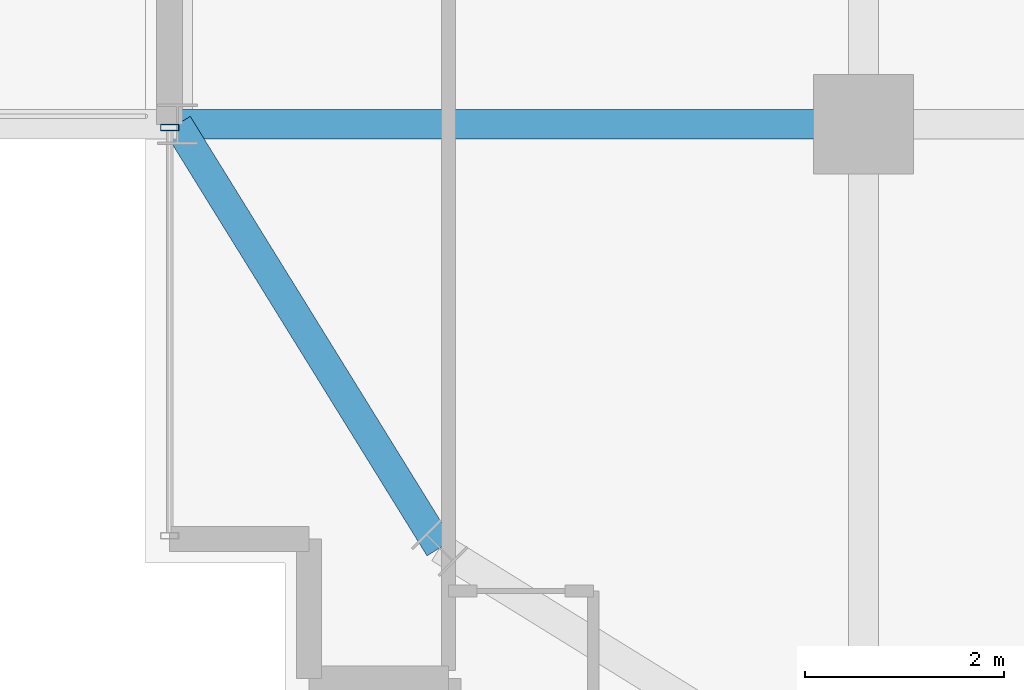
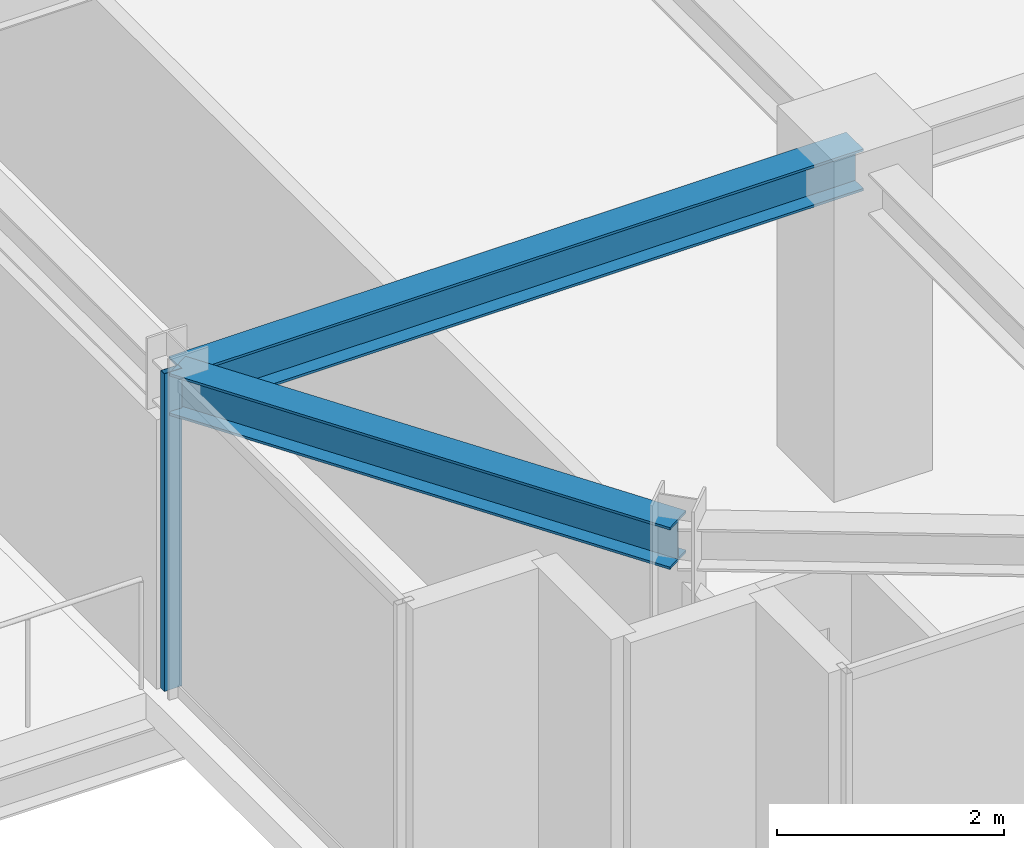
# One storey, part 5 of 35: 2 beams, 1 member, 1 element without a shape of its own.
"""IFC4 building model written with IfcOpenShell, lengths in metres."""

from ifc_helpers import new_model, si_unit, direction, frame, origin, origin_2d, place, context, subcontext, project, spatial, hollow_rectangle, i_section, extrude, source, transform, mapped, material, material_profile, profile_set, type_object, element, aggregate, save


model = new_model("IFC4")

# Units and contexts
model_context = context("Model", 3, precision=1e-05, world=origin(), true_north=direction((0.0, 1.0)))
body_context = subcontext(model_context, "Body", "Model", "MODEL_VIEW")
ifc_project = project(units=[si_unit("LENGTHUNIT", "METRE"), si_unit("AREAUNIT", "SQUARE_METRE"), si_unit("VOLUMEUNIT", "CUBIC_METRE"), si_unit("PLANEANGLEUNIT", "RADIAN"), si_unit("MASSUNIT", "GRAM", prefix="KILO")], contexts=[model_context])

# Site, building, storey
site_placement = place(None, origin())
site = spatial("IfcSite", under=ifc_project, at=site_placement, CompositionType="ELEMENT")
building_placement = place(site_placement, origin())
building = spatial("IfcBuilding", under=site, at=building_placement, Name="Nahalor Promenade Grand Hotel", CompositionType="ELEMENT")
storey_placement = place(building_placement, frame((0.0, 0.0, 245.60009765625)))
storey = spatial("IfcBuildingStorey", under=building, at=storey_placement, Name="L63", CompositionType="ELEMENT", Elevation=245.60009765625)

# Beams
ifc_material_1 = material(Name="Steel S355JR", Category="steel")
ifc_material_profile_1 = material_profile(ifc_material_1, i_section(OverallWidth=0.3, OverallDepth=0.45, WebThickness=0.014, FlangeThickness=0.026, at=origin_2d()), Name="HEB 450")
ifc_profile_set_1 = profile_set([ifc_material_profile_1], Name="Steel S355JR")
beam_type_1 = type_object("IfcBeamType", Name="Beam-Spandrel-HEB450", PredefinedType="SPANDREL", material=ifc_profile_set_1)
shared_shape_1 = source(origin(), body_context, "Body", "SweptSolid", [
    extrude(i_section(OverallWidth=0.3, OverallDepth=0.45, WebThickness=0.014, FlangeThickness=0.026, at=origin_2d()), origin(), (0.0, 0.0, 1.0), 4.997802734375),
])
beam_1_placement = place(storey_placement, frame((-21.25, -21.25, 3.184814453125), z_axis=(-0.526199891161, 0.850360908404, 0.0), x_axis=(-0.850360908404, -0.526199891161, 0.0)))
element("IfcBeam", 1, at=beam_1_placement, inside=storey, type_object=beam_type_1, Name="BM-L63-SPC-SW-2", PredefinedType="SPANDREL", context=body_context, shape_type="MappedRepresentation", body=[
    mapped(shared_shape_1, transform((0.0, 0.0, 0.0), scale=1.0)),
])
ifc_material_profile_2 = material_profile(ifc_material_1, i_section(OverallWidth=0.3, OverallDepth=0.45, WebThickness=0.014, FlangeThickness=0.026, at=origin_2d()), Name="HEB 450")
ifc_profile_set_2 = profile_set([ifc_material_profile_2], Name="Steel S355JR")
beam_type_2 = type_object("IfcBeamType", Name="Beam-Girder-HEB450", PredefinedType="BEAM", material=ifc_profile_set_2)
shared_shape_2 = source(origin(), body_context, "Body", "SweptSolid", [
    extrude(i_section(OverallWidth=0.3, OverallDepth=0.45, WebThickness=0.014, FlangeThickness=0.026, at=origin_2d()), origin(), (0.0, 0.0, 1.0), 6.8798828125),
])
beam_2_placement = place(storey_placement, frame((-23.8798828125, -17.0, 3.184814453125), z_axis=(1.0, 0.0, 0.0), x_axis=(0.0, 1.0, 0.0)))
element("IfcBeam", 2, at=beam_2_placement, inside=storey, type_object=beam_type_2, Name="BM-L63-GX-0-0", PredefinedType="BEAM", context=body_context, shape_type="MappedRepresentation", body=[
    mapped(shared_shape_2, transform((0.0, 0.0, 0.0), scale=1.0)),
])

# Curtain wall, member
ifc_material_2 = material(Name="Anodised Bronze Aluminium EN AW-6063 T6", Category="aluminium")
curtain_wall_type = type_object("IfcCurtainWallType", Name="CW2 Typical Hotel Flush Bronze Unitised Curtain Wall", PredefinedType="USERDEFINED", material=ifc_material_2)
curtain_wall_placement = place(storey_placement, origin())
curtain_wall = element("IfcCurtainWall", 3, at=curtain_wall_placement, inside=storey, type_object=curtain_wall_type, Name="L63 Curtain Wall CW-L63-W-1", ObjectType="UNITISED_CURTAIN_WALL", PredefinedType="USERDEFINED")
ifc_material_profile_3 = material_profile(ifc_material_2, hollow_rectangle(XDim=0.065, YDim=0.18, WallThickness=0.004, at=origin_2d()), Name="CWM 65x180x4")
ifc_profile_set_3 = profile_set([ifc_material_profile_3], Name="Anodised Bronze Aluminium EN AW-6063 T6")
member_type = type_object("IfcMemberType", Name="CWM2 Typical Bronze Mullion 65x180", PredefinedType="MULLION", material=ifc_profile_set_3)
shared_shape_3 = source(origin(), body_context, "Body", "SweptSolid", [
    extrude(hollow_rectangle(XDim=0.065, YDim=0.18, WallThickness=0.004, at=origin_2d()), origin(), (0.0, 0.0, 1.0), 3.409912109375),
])
member_placement = place(storey_placement, frame((-23.9599609375, -17.032470703125, 0.0), z_axis=(0.0, 0.0, 1.0), x_axis=(0.0, 1.0, 0.0)))
member = element("IfcMember", 4, at=member_placement, type_object=member_type, Name="CW-L63-W-1 Mullion 1", PredefinedType="MULLION", context=body_context, shape_type="MappedRepresentation", body=[
    mapped(shared_shape_3, transform((0.0, 0.0, 0.0), scale=1.0)),
])
aggregate(curtain_wall, [member])

save(model, "model.ifc")
